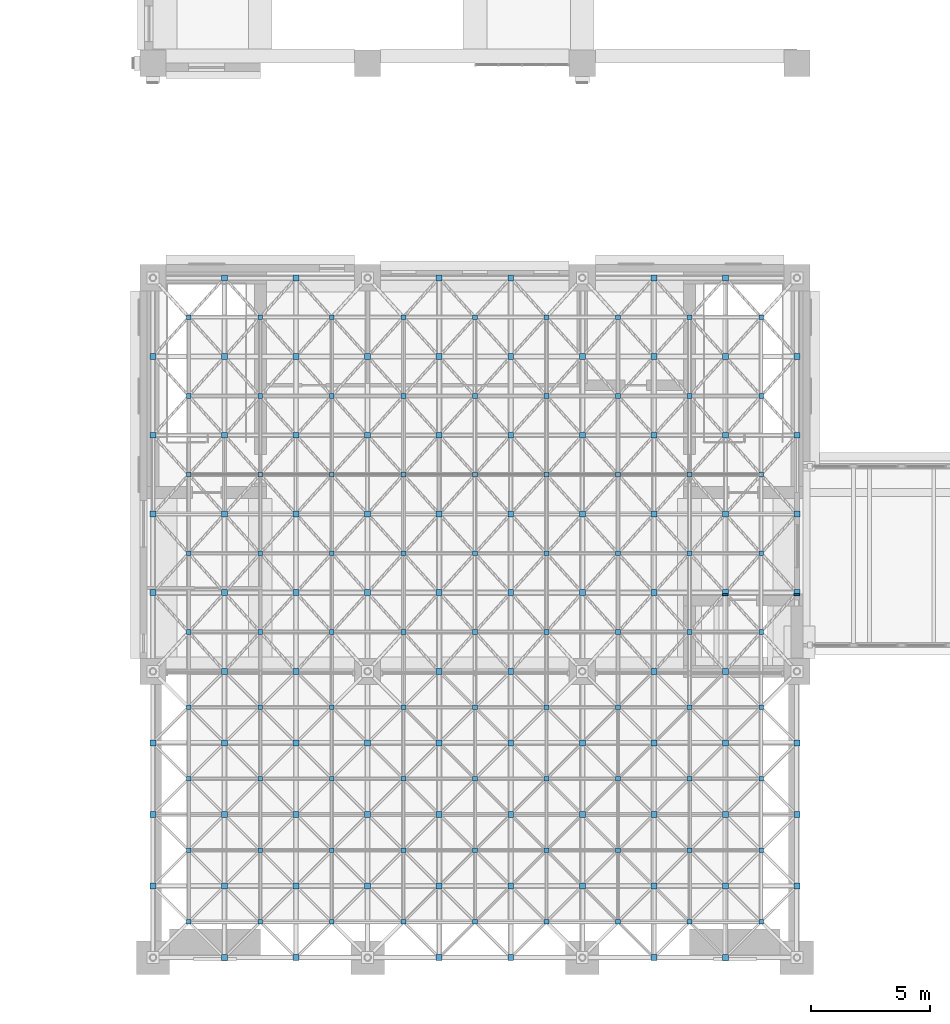
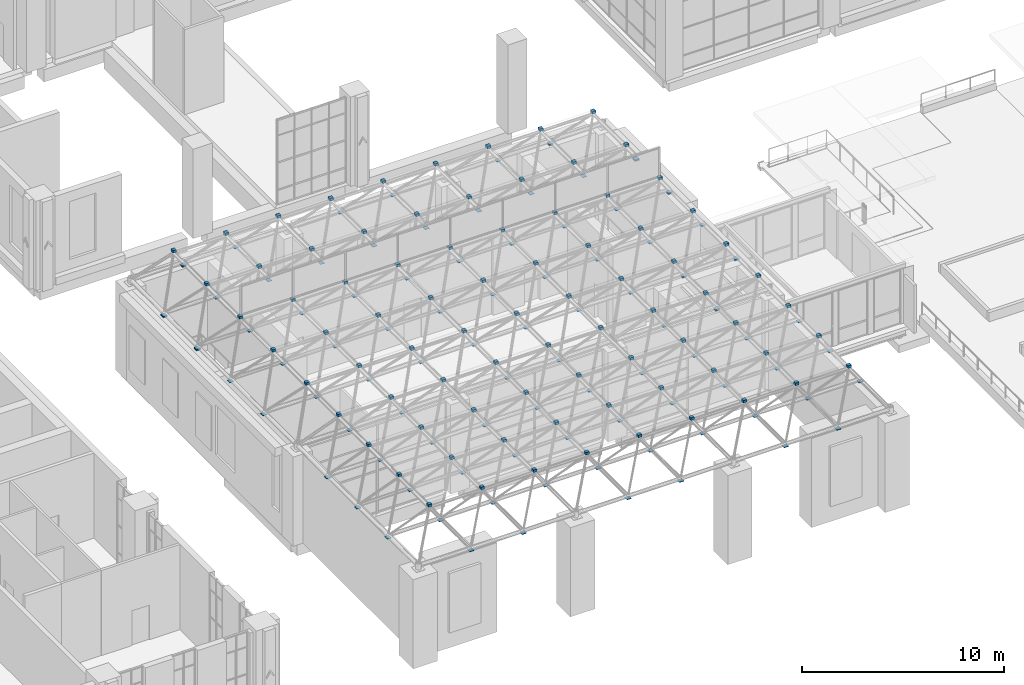
# One storey, part 39 of 53: 178 discrete accessories.
"""IFC4 building model written with IfcOpenShell, lengths in metres."""

from ifc_helpers import new_model, si_unit, direction, frame, origin, origin_2d, place, context, subcontext, project, spatial, rectangle, extrude, material, layer, layer_set, type_object, element, save


model = new_model("IFC4")

# Units and contexts
model_context = context("Model", 3, precision=1e-05, world=origin(), true_north=direction((0.0, 1.0)))
body_context = subcontext(model_context, "Body", "Model", "MODEL_VIEW")
ifc_project = project(units=[si_unit("LENGTHUNIT", "METRE"), si_unit("AREAUNIT", "SQUARE_METRE"), si_unit("VOLUMEUNIT", "CUBIC_METRE"), si_unit("PLANEANGLEUNIT", "RADIAN"), si_unit("MASSUNIT", "GRAM", prefix="KILO")], contexts=[model_context])

# Site, building, storey
site_placement = place(None, origin())
site = spatial("IfcSite", under=ifc_project, at=site_placement, CompositionType="ELEMENT")
building_placement = place(site_placement, origin())
building = spatial("IfcBuilding", under=site, at=building_placement, Name="Aurelan Courthouse", CompositionType="ELEMENT")
storey_placement = place(building_placement, frame((0.0, 0.0, 12.0)))
storey = spatial("IfcBuildingStorey", under=building, at=storey_placement, Name="L02", CompositionType="ELEMENT", Elevation=12.0)

# Discrete accessories
ifc_material_1 = material(Name="Galvanised steel", Category="steel")
discrete_accessory_type_1 = type_object("IfcDiscreteAccessoryType", Name="Space frame bracket 200 x 150", PredefinedType="BRACKET", material=ifc_material_1)
for number, where, z_axis, x_axis, name in (
    (1, (37.5, 1.5, 7.769775390625), (0.0, 0.0, 1.0), (1.0, 0.0, 0.0), "Space frame bracket SFB-001"),
    (2, (40.5, 1.5, 7.769775390625), (0.0, 0.0, 1.0), (1.0, 0.0, 0.0), "Space frame bracket SFB-002"),
    (3, (43.5, 1.5, 7.769775390625), (0.0, 0.0, 1.0), (1.0, 0.0, 0.0), "Space frame bracket SFB-003"),
    (4, (46.5, 1.5, 7.769775390625), (0.0, 0.0, 1.0), (1.0, 0.0, 0.0), "Space frame bracket SFB-004"),
    (5, (49.5, 1.5, 7.769775390625), (0.0, 0.0, 1.0), (1.0, 0.0, 0.0), "Space frame bracket SFB-005"),
    (6, (52.5, 1.5, 7.769775390625), (0.0, 0.0, 1.0), (1.0, 0.0, 0.0), "Space frame bracket SFB-006"),
    (7, (55.5, 1.5, 7.769775390625), (0.0, 0.0, 1.0), (1.0, 0.0, 0.0), "Space frame bracket SFB-007"),
    (8, (58.5, 1.5, 7.769775390625), (0.0, 0.0, 1.0), (1.0, 0.0, 0.0), "Space frame bracket SFB-008"),
    (9, (61.5, 1.5, 7.769775390625), (0.0, 0.0, 1.0), (1.0, 0.0, 0.0), "Space frame bracket SFB-009"),
    (10, (37.5, 4.5, 7.769775390625), (0.0, 0.0, 1.0), (1.0, 0.0, 0.0), "Space frame bracket SFB-010"),
    (11, (40.5, 4.5, 7.769775390625), (0.0, 0.0, 1.0), (1.0, 0.0, 0.0), "Space frame bracket SFB-011"),
    (12, (43.5, 4.5, 7.769775390625), (0.0, 0.0, 1.0), (1.0, 0.0, 0.0), "Space frame bracket SFB-012"),
    (13, (46.5, 4.5, 7.769775390625), (0.0, 0.0, 1.0), (1.0, 0.0, 0.0), "Space frame bracket SFB-013"),
    (14, (49.5, 4.5, 7.769775390625), (0.0, 0.0, 1.0), (1.0, 0.0, 0.0), "Space frame bracket SFB-014"),
    (15, (52.5, 4.5, 7.769775390625), (0.0, 0.0, 1.0), (1.0, 0.0, 0.0), "Space frame bracket SFB-015"),
    (16, (55.5, 4.5, 7.769775390625), (0.0, 0.0, 1.0), (1.0, 0.0, 0.0), "Space frame bracket SFB-016"),
    (17, (58.5, 4.5, 7.769775390625), (0.0, 0.0, 1.0), (1.0, 0.0, 0.0), "Space frame bracket SFB-017"),
    (18, (61.5, 4.5, 7.769775390625), (0.0, 0.0, 1.0), (1.0, 0.0, 0.0), "Space frame bracket SFB-018"),
    (19, (37.5, 7.5, 7.769775390625), (0.0, 0.0, 1.0), (1.0, 0.0, 0.0), "Space frame bracket SFB-019"),
    (20, (40.5, 7.5, 7.769775390625), (0.0, 0.0, 1.0), (1.0, 0.0, 0.0), "Space frame bracket SFB-020"),
    (21, (43.5, 7.5, 7.769775390625), (0.0, 0.0, 1.0), (1.0, 0.0, 0.0), "Space frame bracket SFB-021"),
    (22, (46.5, 7.5, 7.769775390625), (0.0, 0.0, 1.0), (1.0, 0.0, 0.0), "Space frame bracket SFB-022"),
    (23, (49.5, 7.5, 7.769775390625), (0.0, 0.0, 1.0), (1.0, 0.0, 0.0), "Space frame bracket SFB-023"),
    (24, (52.5, 7.5, 7.769775390625), (0.0, 0.0, 1.0), (1.0, 0.0, 0.0), "Space frame bracket SFB-024"),
    (25, (55.5, 7.5, 7.769775390625), (0.0, 0.0, 1.0), (1.0, 0.0, 0.0), "Space frame bracket SFB-025"),
    (26, (58.5, 7.5, 7.769775390625), (0.0, 0.0, 1.0), (1.0, 0.0, 0.0), "Space frame bracket SFB-026"),
    (27, (61.5, 7.5, 7.769775390625), (0.0, 0.0, 1.0), (1.0, 0.0, 0.0), "Space frame bracket SFB-027"),
    (28, (37.5, 10.5, 7.769775390625), (0.0, 0.0, 1.0), (1.0, 0.0, 0.0), "Space frame bracket SFB-028"),
    (29, (40.5, 10.5, 7.769775390625), (0.0, 0.0, 1.0), (1.0, 0.0, 0.0), "Space frame bracket SFB-029"),
    (30, (43.5, 10.5, 7.769775390625), (0.0, 0.0, 1.0), (1.0, 0.0, 0.0), "Space frame bracket SFB-030"),
    (31, (46.5, 10.5, 7.769775390625), (0.0, 0.0, 1.0), (1.0, 0.0, 0.0), "Space frame bracket SFB-031"),
    (32, (49.5, 10.5, 7.769775390625), (0.0, 0.0, 1.0), (1.0, 0.0, 0.0), "Space frame bracket SFB-032"),
    (33, (52.5, 10.5, 7.769775390625), (0.0, 0.0, 1.0), (1.0, 0.0, 0.0), "Space frame bracket SFB-033"),
    (34, (55.5, 10.5, 7.769775390625), (0.0, 0.0, 1.0), (1.0, 0.0, 0.0), "Space frame bracket SFB-034"),
    (35, (58.5, 10.5, 7.769775390625), (0.0, 0.0, 1.0), (1.0, 0.0, 0.0), "Space frame bracket SFB-035"),
    (36, (61.5, 10.5, 7.769775390625), (0.0, 0.0, 1.0), (1.0, 0.0, 0.0), "Space frame bracket SFB-036"),
    (37, (37.5, 13.64990234375, 7.769775390625), (0.0, 0.0, 1.0), (1.0, 0.0, 0.0), "Space frame bracket SFB-037"),
    (38, (40.5, 13.64990234375, 7.769775390625), (0.0, 0.0, 1.0), (1.0, 0.0, 0.0), "Space frame bracket SFB-038"),
    (39, (43.5, 13.64990234375, 7.769775390625), (0.0, 0.0, 1.0), (1.0, 0.0, 0.0), "Space frame bracket SFB-039"),
    (40, (46.5, 13.64990234375, 7.769775390625), (0.0, 0.0, 1.0), (1.0, 0.0, 0.0), "Space frame bracket SFB-040"),
    (41, (49.5, 13.64990234375, 7.769775390625), (0.0, 0.0, 1.0), (1.0, 0.0, 0.0), "Space frame bracket SFB-041"),
    (42, (52.5, 13.64990234375, 7.769775390625), (0.0, 0.0, 1.0), (1.0, 0.0, 0.0), "Space frame bracket SFB-042"),
    (43, (55.5, 13.64990234375, 7.769775390625), (0.0, 0.0, 1.0), (1.0, 0.0, 0.0), "Space frame bracket SFB-043"),
    (44, (58.5, 13.64990234375, 7.769775390625), (0.0, 0.0, 1.0), (1.0, 0.0, 0.0), "Space frame bracket SFB-044"),
    (45, (61.5, 13.64990234375, 7.769775390625), (0.0, 0.0, 1.0), (1.0, 0.0, 0.0), "Space frame bracket SFB-045"),
    (46, (37.5, 16.949951171875, 7.769775390625), (0.0, 0.0, 1.0), (1.0, 0.0, 0.0), "Space frame bracket SFB-046"),
    (47, (40.5, 16.949951171875, 7.769775390625), (0.0, 0.0, 1.0), (1.0, 0.0, 0.0), "Space frame bracket SFB-047"),
    (48, (43.5, 16.949951171875, 7.769775390625), (0.0, 0.0, 1.0), (1.0, 0.0, 0.0), "Space frame bracket SFB-048"),
    (49, (46.5, 16.949951171875, 7.769775390625), (0.0, 0.0, 1.0), (1.0, 0.0, 0.0), "Space frame bracket SFB-049"),
    (50, (49.5, 16.949951171875, 7.769775390625), (0.0, 0.0, 1.0), (1.0, 0.0, 0.0), "Space frame bracket SFB-050"),
    (51, (52.5, 16.949951171875, 7.769775390625), (0.0, 0.0, 1.0), (1.0, 0.0, 0.0), "Space frame bracket SFB-051"),
    (52, (55.5, 16.949951171875, 7.769775390625), (0.0, 0.0, 1.0), (1.0, 0.0, 0.0), "Space frame bracket SFB-052"),
    (53, (58.5, 16.949951171875, 7.769775390625), (0.0, 0.0, 1.0), (1.0, 0.0, 0.0), "Space frame bracket SFB-053"),
    (54, (61.5, 16.949951171875, 7.769775390625), (0.0, 0.0, 1.0), (1.0, 0.0, 0.0), "Space frame bracket SFB-054"),
    (55, (37.5, 20.25, 7.769775390625), (0.0, 0.0, 1.0), (1.0, 0.0, 0.0), "Space frame bracket SFB-055"),
    (56, (40.5, 20.25, 7.769775390625), (0.0, 0.0, 1.0), (1.0, 0.0, 0.0), "Space frame bracket SFB-056"),
    (57, (43.5, 20.25, 7.769775390625), (0.0, 0.0, 1.0), (1.0, 0.0, 0.0), "Space frame bracket SFB-057"),
    (58, (46.5, 20.25, 7.769775390625), (0.0, 0.0, 1.0), (1.0, 0.0, 0.0), "Space frame bracket SFB-058"),
    (59, (49.5, 20.25, 7.769775390625), (0.0, 0.0, 1.0), (1.0, 0.0, 0.0), "Space frame bracket SFB-059"),
    (60, (52.5, 20.25, 7.769775390625), (0.0, 0.0, 1.0), (1.0, 0.0, 0.0), "Space frame bracket SFB-060"),
    (61, (55.5, 20.25, 7.769775390625), (0.0, 0.0, 1.0), (1.0, 0.0, 0.0), "Space frame bracket SFB-061"),
    (62, (58.5, 20.25, 7.769775390625), (0.0, 0.0, 1.0), (1.0, 0.0, 0.0), "Space frame bracket SFB-062"),
    (63, (61.5, 20.25, 7.769775390625), (0.0, 0.0, 1.0), (1.0, 0.0, 0.0), "Space frame bracket SFB-063"),
    (64, (37.5, 23.550048828125, 7.769775390625), (0.0, 0.0, 1.0), (1.0, 0.0, 0.0), "Space frame bracket SFB-064"),
    (65, (40.5, 23.550048828125, 7.769775390625), (0.0, 0.0, 1.0), (1.0, 0.0, 0.0), "Space frame bracket SFB-065"),
    (66, (43.5, 23.550048828125, 7.769775390625), (0.0, 0.0, 1.0), (1.0, 0.0, 0.0), "Space frame bracket SFB-066"),
    (67, (46.5, 23.550048828125, 7.769775390625), (0.0, 0.0, 1.0), (1.0, 0.0, 0.0), "Space frame bracket SFB-067"),
    (68, (49.5, 23.550048828125, 7.769775390625), (0.0, 0.0, 1.0), (1.0, 0.0, 0.0), "Space frame bracket SFB-068"),
    (69, (52.5, 23.550048828125, 7.769775390625), (0.0, 0.0, 1.0), (1.0, 0.0, 0.0), "Space frame bracket SFB-069"),
    (70, (55.5, 23.550048828125, 7.769775390625), (0.0, 0.0, 1.0), (1.0, 0.0, 0.0), "Space frame bracket SFB-070"),
    (71, (58.5, 23.550048828125, 7.769775390625), (0.0, 0.0, 1.0), (1.0, 0.0, 0.0), "Space frame bracket SFB-071"),
    (72, (61.5, 23.550048828125, 7.769775390625), (0.0, 0.0, 1.0), (1.0, 0.0, 0.0), "Space frame bracket SFB-072"),
    (73, (37.5, 26.85009765625, 7.769775390625), (0.0, 0.0, 1.0), (1.0, 0.0, 0.0), "Space frame bracket SFB-073"),
    (74, (40.5, 26.85009765625, 7.769775390625), (0.0, 0.0, 1.0), (1.0, 0.0, 0.0), "Space frame bracket SFB-074"),
    (75, (43.5, 26.85009765625, 7.769775390625), (0.0, 0.0, 1.0), (1.0, 0.0, 0.0), "Space frame bracket SFB-075"),
    (76, (46.5, 26.85009765625, 7.769775390625), (0.0, 0.0, 1.0), (1.0, 0.0, 0.0), "Space frame bracket SFB-076"),
    (77, (49.5, 26.85009765625, 7.769775390625), (0.0, 0.0, 1.0), (1.0, 0.0, 0.0), "Space frame bracket SFB-077"),
    (78, (52.5, 26.85009765625, 7.769775390625), (0.0, 0.0, 1.0), (1.0, 0.0, 0.0), "Space frame bracket SFB-078"),
    (79, (55.5, 26.85009765625, 7.769775390625), (0.0, 0.0, 1.0), (1.0, 0.0, 0.0), "Space frame bracket SFB-079"),
    (80, (58.5, 26.85009765625, 7.769775390625), (0.0, 0.0, 1.0), (1.0, 0.0, 0.0), "Space frame bracket SFB-080"),
    (81, (61.5, 26.85009765625, 7.769775390625), (0.0, 0.0, 1.0), (1.0, 0.0, 0.0), "Space frame bracket SFB-081"),
):
    element("IfcDiscreteAccessory", number, at=place(storey_placement, frame(where, z_axis=z_axis, x_axis=x_axis)), inside=storey, type_object=discrete_accessory_type_1, Name=name, PredefinedType="BRACKET", context=body_context, shape_type="SweptSolid", body=[
        extrude(rectangle(XDim=0.199951171875, YDim=0.199951171875, at=origin_2d()), origin(), (0.0, 0.0, 1.0), 0.14990234375),
    ])
ifc_material_2 = material(Name="Steel S355", Category="steel")
ifc_layer_1 = layer(ifc_material_2, 0.02001953125)
ifc_layer_set_1 = layer_set([ifc_layer_1], Name="Steel S355")
discrete_accessory_type_2 = type_object("IfcDiscreteAccessoryType", Name="Space frame node plate 250 x 250 x 20", PredefinedType="ANCHORPLATE", material=ifc_layer_set_1)
for number, where, z_axis, x_axis, name in (
    (82, (39.0, 0.0, 5.470458984375), (0.0, 0.0, 1.0), (1.0, 0.0, 0.0), "Space frame node plate SFP-001"),
    (83, (42.0, 0.0, 5.470458984375), (0.0, 0.0, 1.0), (1.0, 0.0, 0.0), "Space frame node plate SFP-002"),
    (84, (48.0, 0.0, 5.470458984375), (0.0, 0.0, 1.0), (1.0, 0.0, 0.0), "Space frame node plate SFP-003"),
    (85, (51.0, 0.0, 5.470458984375), (0.0, 0.0, 1.0), (1.0, 0.0, 0.0), "Space frame node plate SFP-004"),
    (86, (57.0, 0.0, 5.470458984375), (0.0, 0.0, 1.0), (1.0, 0.0, 0.0), "Space frame node plate SFP-005"),
    (87, (60.0, 0.0, 5.470458984375), (0.0, 0.0, 1.0), (1.0, 0.0, 0.0), "Space frame node plate SFP-006"),
    (88, (36.0, 3.0, 5.470458984375), (0.0, 0.0, 1.0), (1.0, 0.0, 0.0), "Space frame node plate SFP-007"),
    (89, (39.0, 3.0, 5.470458984375), (0.0, 0.0, 1.0), (1.0, 0.0, 0.0), "Space frame node plate SFP-008"),
    (90, (42.0, 3.0, 5.470458984375), (0.0, 0.0, 1.0), (1.0, 0.0, 0.0), "Space frame node plate SFP-009"),
    (91, (45.0, 3.0, 5.470458984375), (0.0, 0.0, 1.0), (1.0, 0.0, 0.0), "Space frame node plate SFP-010"),
    (92, (48.0, 3.0, 5.470458984375), (0.0, 0.0, 1.0), (1.0, 0.0, 0.0), "Space frame node plate SFP-011"),
    (93, (51.0, 3.0, 5.470458984375), (0.0, 0.0, 1.0), (1.0, 0.0, 0.0), "Space frame node plate SFP-012"),
    (94, (54.0, 3.0, 5.470458984375), (0.0, 0.0, 1.0), (1.0, 0.0, 0.0), "Space frame node plate SFP-013"),
    (95, (57.0, 3.0, 5.470458984375), (0.0, 0.0, 1.0), (1.0, 0.0, 0.0), "Space frame node plate SFP-014"),
    (96, (60.0, 3.0, 5.470458984375), (0.0, 0.0, 1.0), (1.0, 0.0, 0.0), "Space frame node plate SFP-015"),
    (97, (63.0, 3.0, 5.470458984375), (0.0, 0.0, 1.0), (1.0, 0.0, 0.0), "Space frame node plate SFP-016"),
    (98, (36.0, 6.0, 5.470458984375), (0.0, 0.0, 1.0), (1.0, 0.0, 0.0), "Space frame node plate SFP-017"),
    (99, (39.0, 6.0, 5.470458984375), (0.0, 0.0, 1.0), (1.0, 0.0, 0.0), "Space frame node plate SFP-018"),
    (100, (42.0, 6.0, 5.470458984375), (0.0, 0.0, 1.0), (1.0, 0.0, 0.0), "Space frame node plate SFP-019"),
    (101, (45.0, 6.0, 5.470458984375), (0.0, 0.0, 1.0), (1.0, 0.0, 0.0), "Space frame node plate SFP-020"),
    (102, (48.0, 6.0, 5.470458984375), (0.0, 0.0, 1.0), (1.0, 0.0, 0.0), "Space frame node plate SFP-021"),
    (103, (51.0, 6.0, 5.470458984375), (0.0, 0.0, 1.0), (1.0, 0.0, 0.0), "Space frame node plate SFP-022"),
    (104, (54.0, 6.0, 5.470458984375), (0.0, 0.0, 1.0), (1.0, 0.0, 0.0), "Space frame node plate SFP-023"),
    (105, (57.0, 6.0, 5.470458984375), (0.0, 0.0, 1.0), (1.0, 0.0, 0.0), "Space frame node plate SFP-024"),
    (106, (60.0, 6.0, 5.470458984375), (0.0, 0.0, 1.0), (1.0, 0.0, 0.0), "Space frame node plate SFP-025"),
    (107, (63.0, 6.0, 5.470458984375), (0.0, 0.0, 1.0), (1.0, 0.0, 0.0), "Space frame node plate SFP-026"),
    (108, (36.0, 9.0, 5.470458984375), (0.0, 0.0, 1.0), (1.0, 0.0, 0.0), "Space frame node plate SFP-027"),
    (109, (39.0, 9.0, 5.470458984375), (0.0, 0.0, 1.0), (1.0, 0.0, 0.0), "Space frame node plate SFP-028"),
    (110, (42.0, 9.0, 5.470458984375), (0.0, 0.0, 1.0), (1.0, 0.0, 0.0), "Space frame node plate SFP-029"),
    (111, (45.0, 9.0, 5.470458984375), (0.0, 0.0, 1.0), (1.0, 0.0, 0.0), "Space frame node plate SFP-030"),
    (112, (48.0, 9.0, 5.470458984375), (0.0, 0.0, 1.0), (1.0, 0.0, 0.0), "Space frame node plate SFP-031"),
    (113, (51.0, 9.0, 5.470458984375), (0.0, 0.0, 1.0), (1.0, 0.0, 0.0), "Space frame node plate SFP-032"),
    (114, (54.0, 9.0, 5.470458984375), (0.0, 0.0, 1.0), (1.0, 0.0, 0.0), "Space frame node plate SFP-033"),
    (115, (57.0, 9.0, 5.470458984375), (0.0, 0.0, 1.0), (1.0, 0.0, 0.0), "Space frame node plate SFP-034"),
    (116, (60.0, 9.0, 5.470458984375), (0.0, 0.0, 1.0), (1.0, 0.0, 0.0), "Space frame node plate SFP-035"),
    (117, (63.0, 9.0, 5.470458984375), (0.0, 0.0, 1.0), (1.0, 0.0, 0.0), "Space frame node plate SFP-036"),
    (118, (39.0, 12.0, 5.470458984375), (0.0, 0.0, 1.0), (1.0, 0.0, 0.0), "Space frame node plate SFP-037"),
    (119, (42.0, 12.0, 5.470458984375), (0.0, 0.0, 1.0), (1.0, 0.0, 0.0), "Space frame node plate SFP-038"),
    (120, (48.0, 12.0, 5.470458984375), (0.0, 0.0, 1.0), (1.0, 0.0, 0.0), "Space frame node plate SFP-039"),
    (121, (51.0, 12.0, 5.470458984375), (0.0, 0.0, 1.0), (1.0, 0.0, 0.0), "Space frame node plate SFP-040"),
    (122, (57.0, 12.0, 5.470458984375), (0.0, 0.0, 1.0), (1.0, 0.0, 0.0), "Space frame node plate SFP-041"),
    (123, (60.0, 12.0, 5.470458984375), (0.0, 0.0, 1.0), (1.0, 0.0, 0.0), "Space frame node plate SFP-042"),
    (124, (36.0, 15.300048828125, 5.470458984375), (0.0, 0.0, 1.0), (1.0, 0.0, 0.0), "Space frame node plate SFP-043"),
    (125, (39.0, 15.300048828125, 5.470458984375), (0.0, 0.0, 1.0), (1.0, 0.0, 0.0), "Space frame node plate SFP-044"),
    (126, (42.0, 15.300048828125, 5.470458984375), (0.0, 0.0, 1.0), (1.0, 0.0, 0.0), "Space frame node plate SFP-045"),
    (127, (45.0, 15.300048828125, 5.470458984375), (0.0, 0.0, 1.0), (1.0, 0.0, 0.0), "Space frame node plate SFP-046"),
    (128, (48.0, 15.300048828125, 5.470458984375), (0.0, 0.0, 1.0), (1.0, 0.0, 0.0), "Space frame node plate SFP-047"),
    (129, (51.0, 15.300048828125, 5.470458984375), (0.0, 0.0, 1.0), (1.0, 0.0, 0.0), "Space frame node plate SFP-048"),
    (130, (54.0, 15.300048828125, 5.470458984375), (0.0, 0.0, 1.0), (1.0, 0.0, 0.0), "Space frame node plate SFP-049"),
    (131, (57.0, 15.300048828125, 5.470458984375), (0.0, 0.0, 1.0), (1.0, 0.0, 0.0), "Space frame node plate SFP-050"),
    (132, (60.0, 15.300048828125, 5.470458984375), (0.0, 0.0, 1.0), (1.0, 0.0, 0.0), "Space frame node plate SFP-051"),
    (133, (63.0, 15.300048828125, 5.470458984375), (0.0, 0.0, 1.0), (1.0, 0.0, 0.0), "Space frame node plate SFP-052"),
    (134, (36.0, 18.60009765625, 5.470458984375), (0.0, 0.0, 1.0), (1.0, 0.0, 0.0), "Space frame node plate SFP-053"),
    (135, (39.0, 18.60009765625, 5.470458984375), (0.0, 0.0, 1.0), (1.0, 0.0, 0.0), "Space frame node plate SFP-054"),
    (136, (42.0, 18.60009765625, 5.470458984375), (0.0, 0.0, 1.0), (1.0, 0.0, 0.0), "Space frame node plate SFP-055"),
    (137, (45.0, 18.60009765625, 5.470458984375), (0.0, 0.0, 1.0), (1.0, 0.0, 0.0), "Space frame node plate SFP-056"),
    (138, (48.0, 18.60009765625, 5.470458984375), (0.0, 0.0, 1.0), (1.0, 0.0, 0.0), "Space frame node plate SFP-057"),
    (139, (51.0, 18.60009765625, 5.470458984375), (0.0, 0.0, 1.0), (1.0, 0.0, 0.0), "Space frame node plate SFP-058"),
    (140, (54.0, 18.60009765625, 5.470458984375), (0.0, 0.0, 1.0), (1.0, 0.0, 0.0), "Space frame node plate SFP-059"),
    (141, (57.0, 18.60009765625, 5.470458984375), (0.0, 0.0, 1.0), (1.0, 0.0, 0.0), "Space frame node plate SFP-060"),
    (142, (60.0, 18.60009765625, 5.470458984375), (0.0, 0.0, 1.0), (1.0, 0.0, 0.0), "Space frame node plate SFP-061"),
    (143, (63.0, 18.60009765625, 5.470458984375), (0.0, 0.0, 1.0), (1.0, 0.0, 0.0), "Space frame node plate SFP-062"),
    (144, (36.0, 21.89990234375, 5.470458984375), (0.0, 0.0, 1.0), (1.0, 0.0, 0.0), "Space frame node plate SFP-063"),
    (145, (39.0, 21.89990234375, 5.470458984375), (0.0, 0.0, 1.0), (1.0, 0.0, 0.0), "Space frame node plate SFP-064"),
    (146, (42.0, 21.89990234375, 5.470458984375), (0.0, 0.0, 1.0), (1.0, 0.0, 0.0), "Space frame node plate SFP-065"),
    (147, (45.0, 21.89990234375, 5.470458984375), (0.0, 0.0, 1.0), (1.0, 0.0, 0.0), "Space frame node plate SFP-066"),
    (148, (48.0, 21.89990234375, 5.470458984375), (0.0, 0.0, 1.0), (1.0, 0.0, 0.0), "Space frame node plate SFP-067"),
    (149, (51.0, 21.89990234375, 5.470458984375), (0.0, 0.0, 1.0), (1.0, 0.0, 0.0), "Space frame node plate SFP-068"),
    (150, (54.0, 21.89990234375, 5.470458984375), (0.0, 0.0, 1.0), (1.0, 0.0, 0.0), "Space frame node plate SFP-069"),
    (151, (57.0, 21.89990234375, 5.470458984375), (0.0, 0.0, 1.0), (1.0, 0.0, 0.0), "Space frame node plate SFP-070"),
    (152, (60.0, 21.89990234375, 5.470458984375), (0.0, 0.0, 1.0), (1.0, 0.0, 0.0), "Space frame node plate SFP-071"),
    (153, (63.0, 21.89990234375, 5.470458984375), (0.0, 0.0, 1.0), (1.0, 0.0, 0.0), "Space frame node plate SFP-072"),
    (154, (36.0, 25.199951171875, 5.470458984375), (0.0, 0.0, 1.0), (1.0, 0.0, 0.0), "Space frame node plate SFP-073"),
    (155, (39.0, 25.199951171875, 5.470458984375), (0.0, 0.0, 1.0), (1.0, 0.0, 0.0), "Space frame node plate SFP-074"),
    (156, (42.0, 25.199951171875, 5.470458984375), (0.0, 0.0, 1.0), (1.0, 0.0, 0.0), "Space frame node plate SFP-075"),
    (157, (45.0, 25.199951171875, 5.470458984375), (0.0, 0.0, 1.0), (1.0, 0.0, 0.0), "Space frame node plate SFP-076"),
    (158, (48.0, 25.199951171875, 5.470458984375), (0.0, 0.0, 1.0), (1.0, 0.0, 0.0), "Space frame node plate SFP-077"),
    (159, (51.0, 25.199951171875, 5.470458984375), (0.0, 0.0, 1.0), (1.0, 0.0, 0.0), "Space frame node plate SFP-078"),
    (160, (54.0, 25.199951171875, 5.470458984375), (0.0, 0.0, 1.0), (1.0, 0.0, 0.0), "Space frame node plate SFP-079"),
    (161, (57.0, 25.199951171875, 5.470458984375), (0.0, 0.0, 1.0), (1.0, 0.0, 0.0), "Space frame node plate SFP-080"),
    (162, (60.0, 25.199951171875, 5.470458984375), (0.0, 0.0, 1.0), (1.0, 0.0, 0.0), "Space frame node plate SFP-081"),
    (163, (63.0, 25.199951171875, 5.470458984375), (0.0, 0.0, 1.0), (1.0, 0.0, 0.0), "Space frame node plate SFP-082"),
    (164, (39.0, 28.5, 5.470458984375), (0.0, 0.0, 1.0), (1.0, 0.0, 0.0), "Space frame node plate SFP-083"),
    (165, (42.0, 28.5, 5.470458984375), (0.0, 0.0, 1.0), (1.0, 0.0, 0.0), "Space frame node plate SFP-084"),
    (166, (48.0, 28.5, 5.470458984375), (0.0, 0.0, 1.0), (1.0, 0.0, 0.0), "Space frame node plate SFP-085"),
    (167, (51.0, 28.5, 5.470458984375), (0.0, 0.0, 1.0), (1.0, 0.0, 0.0), "Space frame node plate SFP-086"),
    (168, (57.0, 28.5, 5.470458984375), (0.0, 0.0, 1.0), (1.0, 0.0, 0.0), "Space frame node plate SFP-087"),
    (169, (60.0, 28.5, 5.470458984375), (0.0, 0.0, 1.0), (1.0, 0.0, 0.0), "Space frame node plate SFP-088"),
):
    element("IfcDiscreteAccessory", number, at=place(storey_placement, frame(where, z_axis=z_axis, x_axis=x_axis)), inside=storey, type_object=discrete_accessory_type_2, Name=name, PredefinedType="ANCHORPLATE", context=body_context, shape_type="SweptSolid", body=[
        extrude(rectangle(XDim=0.25, YDim=0.25, at=origin_2d()), origin(), (0.0, 0.0, 1.0), 0.02001953125),
    ])
ifc_layer_2 = layer(ifc_material_2, 0.070556640625)
ifc_layer_set_2 = layer_set([ifc_layer_2], Name="Steel S355")
discrete_accessory_type_3 = type_object("IfcDiscreteAccessoryType", Name="Space frame wall bearing pad 250 x 250 x 70", PredefinedType="ANCHORPLATE", material=ifc_layer_set_2)
for number, where, z_axis, x_axis, name in (
    (170, (60.0, 12.0, 5.39990234375), (0.0, 0.0, 1.0), (1.0, 0.0, 0.0), "Space frame wall bearing pad SFW-001"),
    (171, (36.0, 21.89990234375, 5.39990234375), (0.0, 0.0, 1.0), (1.0, 0.0, 0.0), "Space frame wall bearing pad SFW-004"),
    (172, (63.0, 21.89990234375, 5.39990234375), (0.0, 0.0, 1.0), (1.0, 0.0, 0.0), "Space frame wall bearing pad SFW-005"),
    (173, (36.0, 25.199951171875, 5.39990234375), (0.0, 0.0, 1.0), (1.0, 0.0, 0.0), "Space frame wall bearing pad SFW-006"),
    (174, (63.0, 25.199951171875, 5.39990234375), (0.0, 0.0, 1.0), (1.0, 0.0, 0.0), "Space frame wall bearing pad SFW-007"),
    (175, (39.0, 28.5, 5.39990234375), (0.0, 0.0, 1.0), (1.0, 0.0, 0.0), "Space frame wall bearing pad SFW-008"),
    (176, (60.0, 28.5, 5.39990234375), (0.0, 0.0, 1.0), (1.0, 0.0, 0.0), "Space frame wall bearing pad SFW-009"),
):
    element("IfcDiscreteAccessory", number, at=place(storey_placement, frame(where, z_axis=z_axis, x_axis=x_axis)), inside=storey, type_object=discrete_accessory_type_3, Name=name, PredefinedType="ANCHORPLATE", context=body_context, shape_type="SweptSolid", body=[
        extrude(rectangle(XDim=0.25, YDim=0.25, at=origin_2d()), origin(), (0.0, 0.0, 1.0), 0.070556640625),
    ])
ifc_layer_3 = layer(ifc_material_2, 0.070556640625)
ifc_layer_set_3 = layer_set([ifc_layer_3], Name="Steel S355")
discrete_accessory_type_4 = type_object("IfcDiscreteAccessoryType", Name="Space frame wall bearing pad 250 x 75 x 70", PredefinedType="ANCHORPLATE", material=ifc_layer_set_3)
for number, where, z_axis, x_axis, name in (
    (177, (60.0, 15.21240234375, 5.39990234375), (0.0, 0.0, 1.0), (1.0, 0.0, 0.0), "Space frame wall bearing pad SFW-002"),
    (178, (63.0, 15.21240234375, 5.39990234375), (0.0, 0.0, 1.0), (1.0, 0.0, 0.0), "Space frame wall bearing pad SFW-003"),
):
    element("IfcDiscreteAccessory", number, at=place(storey_placement, frame(where, z_axis=z_axis, x_axis=x_axis)), inside=storey, type_object=discrete_accessory_type_4, Name=name, PredefinedType="ANCHORPLATE", context=body_context, shape_type="SweptSolid", body=[
        extrude(rectangle(XDim=0.25, YDim=0.074951171875, at=origin_2d()), origin(), (0.0, 0.0, 1.0), 0.070556640625),
    ])

save(model, "model.ifc")
